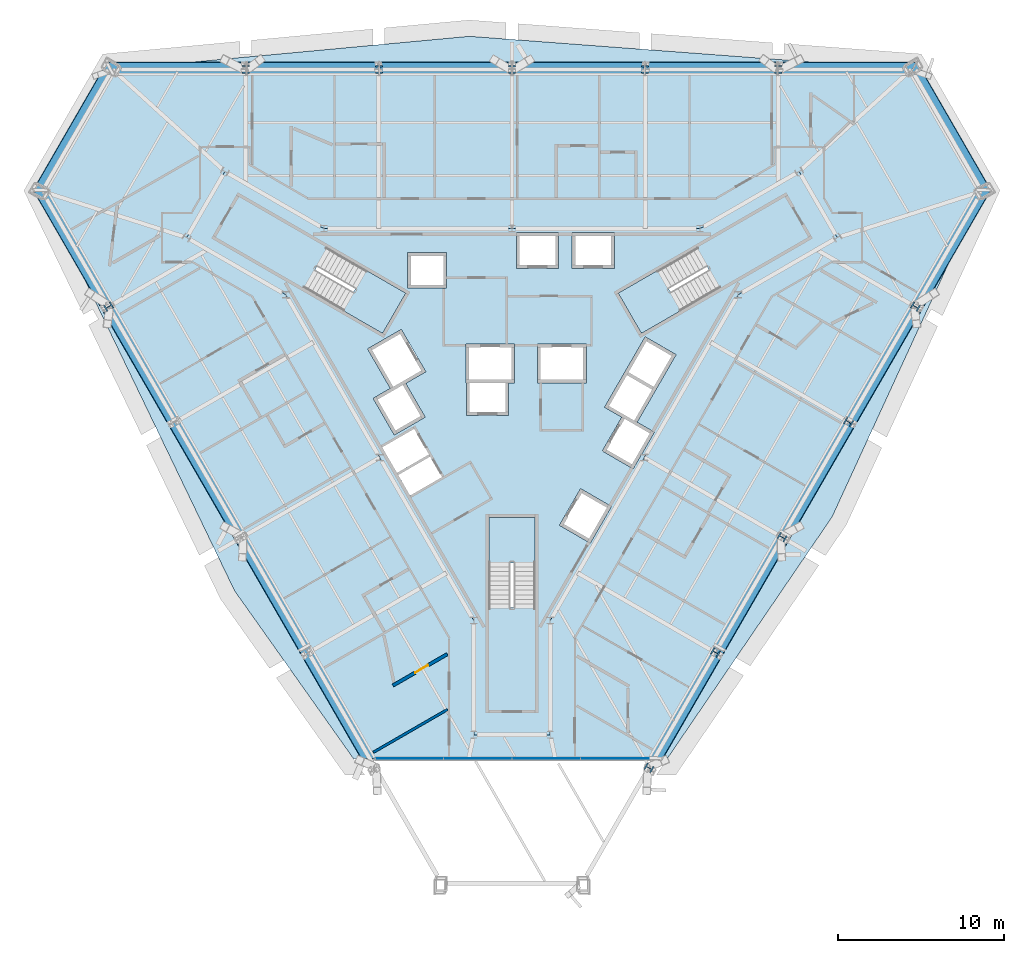
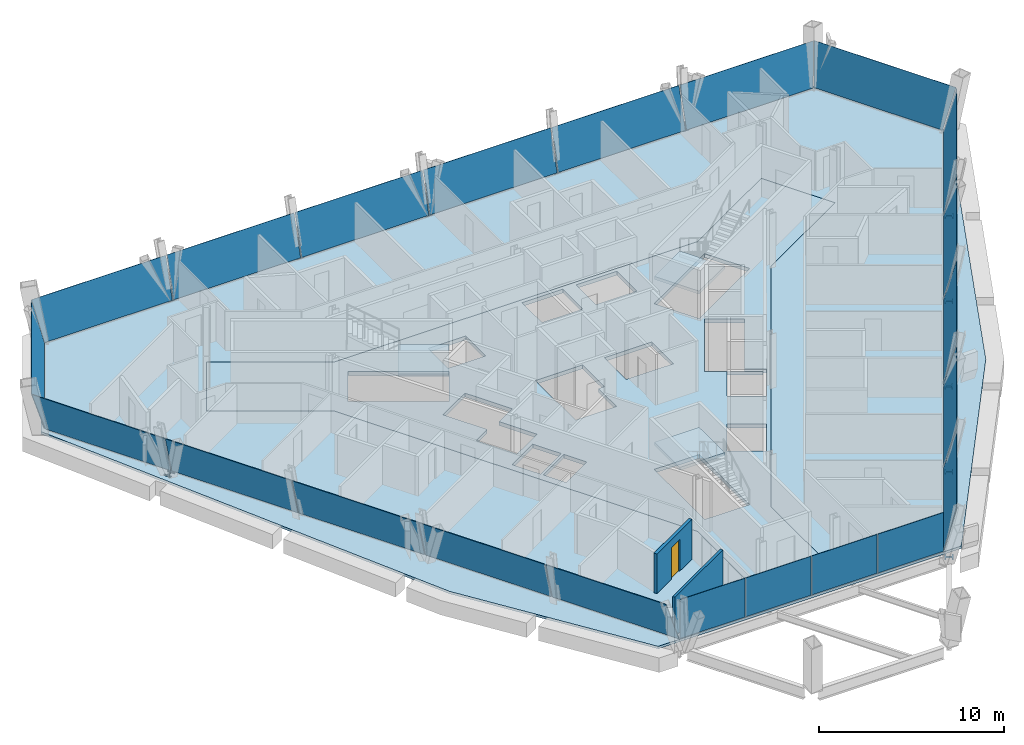
# One storey, part 8 of 15: 22 plates, 11 members, 5 slabs, 2 walls, 1 door, 1 opening, 9 elements without a shape of their own.
"""IFC4 building model written with IfcOpenShell, lengths in metres."""

import ifcopenshell
import ifcopenshell.guid

model = None  # the IFC model being written
_history = None  # IfcOwnerHistory: only IFC2X3 demands one
_inside = {}  # id of a spatial element -> (the spatial element, [elements in it])
_under = {}  # id of a project, library or spatial element -> (it, [spatial elements below it])
_declared = {}  # id of a project -> (the project, [libraries it declares])
_typed = {}  # id of a type object -> (the type object, [elements of that type])
_made_of = {}  # id of a material, layer set ... -> (it, [elements and type objects made of it])


def new_model(schema):
    """Start an empty IFC model of exactly this schema.

    Asked for "IFC4X3", IfcOpenShell would pick the latest addendum, in which some entities
    have other attributes; the version numbers below select the first issue.
    IFC2X3 requires an IfcOwnerHistory on every rooted entity: one is made here for all.
    """
    global model, _history
    if schema == "IFC4X3":
        model = ifcopenshell.file(schema_version=(4, 3, 0, 0))
    else:
        model = ifcopenshell.file(schema=schema)
    _inside.clear()
    _under.clear()
    _declared.clear()
    _typed.clear()
    _made_of.clear()
    _history = None
    if model.schema == "IFC2X3":
        org = make("IfcOrganization", Name="unknown")
        user = make(
            "IfcPersonAndOrganization",
            ThePerson=make("IfcPerson", FamilyName="unknown"),
            TheOrganization=org,
        )
        app = make(
            "IfcApplication",
            ApplicationDeveloper=org,
            Version="unknown",
            ApplicationFullName="unknown",
            ApplicationIdentifier="unknown",
        )
        _history = make(
            "IfcOwnerHistory",
            OwningUser=user,
            OwningApplication=app,
            ChangeAction="ADDED",
            CreationDate=0,
        )
    return model


def make(cls, **values):
    """One entity of the class cls with the attributes given. An attribute that is None is left unset."""
    return model.create_entity(
        cls, **{name: value for name, value in values.items() if value is not None}
    )


def rooted(cls, **values):
    """An entity with a GlobalId (a new one), such as an element, a storey or a relation."""
    return make(cls, GlobalId=ifcopenshell.guid.new(), OwnerHistory=_history, **values)


def si_unit(unit_type, name, prefix=None):
    """IfcSIUnit, for example si_unit("LENGTHUNIT", "METRE", prefix="MILLI")."""
    return make("IfcSIUnit", UnitType=unit_type, Prefix=prefix, Name=name)


def assignment(units):
    """IfcUnitAssignment: the units of a project."""
    return None if units is None else make("IfcUnitAssignment", Units=units)


def point(xyz):
    """IfcCartesianPoint."""
    return None if xyz is None else make("IfcCartesianPoint", Coordinates=xyz)


def direction(xyz):
    """IfcDirection."""
    return None if xyz is None else make("IfcDirection", DirectionRatios=xyz)


def frame(location, z_axis=None, x_axis=None):
    """IfcAxis2Placement3D, a coordinate frame: its origin and axes. An axis left out is left unset."""
    return make(
        "IfcAxis2Placement3D",
        Location=point(location),
        Axis=direction(z_axis),
        RefDirection=direction(x_axis),
    )


def frame_2d(location, x_axis=None):
    """IfcAxis2Placement2D, a coordinate frame in the plane: its origin and x axis."""
    return make(
        "IfcAxis2Placement2D", Location=point(location), RefDirection=direction(x_axis)
    )


def origin():
    """The frame at (0, 0, 0) with its axes left unset."""
    return frame((0.0, 0.0, 0.0))


def origin_2d():
    """The frame at (0, 0) in the plane with its x axis left unset."""
    return frame_2d((0.0, 0.0))


def place(relative_to, where):
    """IfcLocalPlacement: puts the frame where relative to a parent placement (None: the world)."""
    return make(
        "IfcLocalPlacement", PlacementRelTo=relative_to, RelativePlacement=where
    )


def context(
    kind, dimensions, precision=None, world=None, true_north=None, identifier=None
):
    """IfcGeometricRepresentationContext, for example the 3D "Model" context."""
    return make(
        "IfcGeometricRepresentationContext",
        ContextIdentifier=identifier,
        ContextType=kind,
        CoordinateSpaceDimension=dimensions,
        Precision=precision,
        WorldCoordinateSystem=world,
        TrueNorth=true_north,
    )


def subcontext(parent, identifier, kind, view, scale=None):
    """IfcGeometricRepresentationSubContext, for example "Body" below "Model"."""
    return make(
        "IfcGeometricRepresentationSubContext",
        ContextIdentifier=identifier,
        ContextType=kind,
        ParentContext=parent,
        TargetScale=scale,
        TargetView=view,
    )


def project(units=None, contexts=None):
    """IfcProject with its units and contexts."""
    return rooted(
        "IfcProject",
        Name="project",
        RepresentationContexts=contexts,
        UnitsInContext=assignment(units),
    )


def spatial(cls, under=None, at=None, **own):
    """A site, building, storey or space (cls), placed at a placement, below another one or the project."""
    s = rooted(cls, ObjectPlacement=at, **own)
    if under is not None:
        _under.setdefault(under.id(), (under, []))[1].append(s)
    return s


def polyline(points):
    """IfcPolyline through the points."""
    return make("IfcPolyline", Points=[point(p) for p in points])


def profile(cls, at=None, kind="AREA", **sizes):
    """A parametric profile (cls). Its sizes go by their IFC names, for example OverallWidth=200.0."""
    return make(cls, ProfileType=kind, Position=at, **sizes)


def rectangle(**sizes):
    """IfcRectangleProfileDef."""
    return profile("IfcRectangleProfileDef", **sizes)


def i_section(**sizes):
    """IfcIShapeProfileDef."""
    return profile("IfcIShapeProfileDef", **sizes)


def outline(outer, holes=None, kind="AREA"):
    """IfcArbitraryClosedProfileDef: a profile drawn as a closed curve; with holes, ...WithVoids."""
    if holes is None:
        return make("IfcArbitraryClosedProfileDef", ProfileType=kind, OuterCurve=outer)
    return make(
        "IfcArbitraryProfileDefWithVoids",
        ProfileType=kind,
        OuterCurve=outer,
        InnerCurves=holes,
    )


def extrude(swept, where, along, depth):
    """IfcExtrudedAreaSolid: the profile swept, set in the frame where, extruded along a direction by depth."""
    return make(
        "IfcExtrudedAreaSolid",
        SweptArea=swept,
        Position=where,
        ExtrudedDirection=direction(along),
        Depth=depth,
    )


def shape(context_of_items, identifier, shape_type, items):
    """IfcShapeRepresentation: the items that make up one representation, for example the "Body"."""
    return make(
        "IfcShapeRepresentation",
        ContextOfItems=context_of_items,
        RepresentationIdentifier=identifier,
        RepresentationType=shape_type,
        Items=items,
    )


def material(Name=None, Category=None):
    """IfcMaterial."""
    return make("IfcMaterial", Name=Name, Category=Category)


def layer(
    of_material, thickness, ventilated=None, Name=None, Category=None, Priority=None
):
    """IfcMaterialLayer: one layer of a wall or slab, of a material (None: an air gap)."""
    return make(
        "IfcMaterialLayer",
        Material=of_material,
        LayerThickness=thickness,
        IsVentilated=ventilated,
        Name=Name,
        Category=Category,
        Priority=Priority,
    )


def layer_set(layers, Name=None):
    """IfcMaterialLayerSet."""
    return make("IfcMaterialLayerSet", MaterialLayers=layers, LayerSetName=Name)


def material_profile(
    of_material, cross_section, Name=None, Category=None, Priority=None
):
    """IfcMaterialProfile: a cross section and its material."""
    return make(
        "IfcMaterialProfile",
        Name=Name,
        Material=of_material,
        Profile=cross_section,
        Priority=Priority,
        Category=Category,
    )


def profile_set(profiles, Name=None, composite=None):
    """IfcMaterialProfileSet."""
    return make(
        "IfcMaterialProfileSet",
        Name=Name,
        MaterialProfiles=profiles,
        CompositeProfile=composite,
    )


def made_of(thing, what):
    """Note that an element or type object is made of a material, layer set ...; save() writes the relation."""
    if what is not None:
        _made_of.setdefault(what.id(), (what, []))[1].append(thing)
    return thing


def type_object(cls, material=None, **own):
    """A type object (cls), such as IfcWallType, which elements share."""
    return made_of(rooted(cls, **own), material)


def element(
    cls,
    number,
    at=None,
    inside=None,
    cuts=None,
    type_object=None,
    material=None,
    context=None,
    identifier="Body",
    shape_type=None,
    held_by="IfcProductDefinitionShape",
    body=None,
    shapes=None,
    **own,
):
    """One element of the class cls, such as IfcWall. Its Tag is "e" and its number.

    at: its placement. inside: the storey or other place that contains it. cuts: it is an
    opening in that element (IfcRelVoidsElement). A single representation is given by context,
    identifier, shape_type and body (its items); several are given by shapes. held_by: the class
    of the entity that holds the representations. save() writes the other relations.
    """
    e = rooted(cls, Tag="e%d" % number, ObjectPlacement=at, **own)
    if body is not None:
        shapes = [shape(context, identifier, shape_type, body)]
    if shapes is not None:
        e.Representation = make(held_by, Representations=shapes)
    if inside is not None:
        _inside.setdefault(inside.id(), (inside, []))[1].append(e)
    if cuts is not None:
        rooted(
            "IfcRelVoidsElement", RelatingBuildingElement=cuts, RelatedOpeningElement=e
        )
    if type_object is not None:
        _typed.setdefault(type_object.id(), (type_object, []))[1].append(e)
    return made_of(e, material)


def fill(opening, filler):
    """IfcRelFillsElement: the door or window that sits in an opening."""
    return rooted(
        "IfcRelFillsElement",
        RelatingOpeningElement=opening,
        RelatedBuildingElement=filler,
    )


def aggregate(whole, parts):
    """IfcRelAggregates: a whole, such as a stair, and the parts it consists of."""
    return rooted("IfcRelAggregates", RelatingObject=whole, RelatedObjects=parts)


def save(model, path):
    """Write the relations noted so far, then the file.

    IfcRelAggregates (storeys below a building ...), IfcRelContainedInSpatialStructure (elements
    in a storey), IfcRelDefinesByType, IfcRelAssociatesMaterial and IfcRelDeclares: one each for
    every whole, place, type object, material and project.
    """
    for whole, parts in _under.values():
        aggregate(whole, parts)
    for where, things in _inside.values():
        rooted(
            "IfcRelContainedInSpatialStructure",
            RelatedElements=things,
            RelatingStructure=where,
        )
    for kind, things in _typed.values():
        rooted("IfcRelDefinesByType", RelatedObjects=things, RelatingType=kind)
    for what, things in _made_of.values():
        rooted("IfcRelAssociatesMaterial", RelatedObjects=things, RelatingMaterial=what)
    for by, libraries in _declared.values():
        rooted("IfcRelDeclares", RelatingContext=by, RelatedDefinitions=libraries)
    model.write(path)


model = new_model("IFC4")

# Units and contexts
model_context = context("Model", 3, precision=1e-05, world=origin(), true_north=direction((0.0, 1.0)))
body_context = subcontext(model_context, "Body", "Model", "MODEL_VIEW")
ifc_project = project(units=[si_unit("LENGTHUNIT", "METRE"), si_unit("AREAUNIT", "SQUARE_METRE"), si_unit("VOLUMEUNIT", "CUBIC_METRE"), si_unit("PLANEANGLEUNIT", "RADIAN"), si_unit("MASSUNIT", "GRAM", prefix="KILO")], contexts=[model_context])

# Site, building, storey
site_placement = place(None, origin())
site = spatial("IfcSite", under=ifc_project, at=site_placement, CompositionType="ELEMENT")
building_placement = place(site_placement, origin())
building = spatial("IfcBuilding", under=site, at=building_placement, Name="Verrane Prism Tower", CompositionType="ELEMENT")
storey_placement = place(building_placement, frame((0.0, 0.0, 118.0)))
storey = spatial("IfcBuildingStorey", under=building, at=storey_placement, Name="L28", CompositionType="ELEMENT", Elevation=118.0)

# Members
ifc_material_1 = material(Name="Steel A992", Category="steel")
ifc_material_profile = material_profile(ifc_material_1, i_section(OverallWidth=0.424072265625, OverallDepth=0.47509765625, WebThickness=0.0478515625, FlangeThickness=0.0771484375, FilletRadius=0.014892578125, at=origin_2d()), Name="W14x426")
ifc_profile_set = profile_set([ifc_material_profile], Name="Steel A992")
member_type = type_object("IfcMemberType", Name="Kink node W14x426", PredefinedType="COLLAR", material=ifc_profile_set)
member_1_placement = place(storey_placement, frame((16.041748046875, 18.79443359375, -0.044921875), z_axis=(0.0, 0.0, 1.0), x_axis=(1.0, 0.0, 0.0)))
element("IfcMember", 1, at=member_1_placement, inside=storey, type_object=member_type, Name="Kink node PC4 L28", PredefinedType="COLLAR", context=body_context, shape_type="SweptSolid", body=[
    extrude(i_section(OverallWidth=0.424072265625, OverallDepth=0.47509765625, WebThickness=0.0478515625, FlangeThickness=0.0771484375, FilletRadius=0.014892578125, at=origin_2d()), origin(), (0.0, 0.0, 1.0), 0.08984375),
])
member_2_placement = place(storey_placement, frame((8.020751953125, 18.7939453125, -0.0400390625), z_axis=(0.0, 0.0, 1.0), x_axis=(1.0, 0.0, 0.0)))
element("IfcMember", 2, at=member_2_placement, inside=storey, type_object=member_type, Name="Kink node PC4 L28", PredefinedType="COLLAR", context=body_context, shape_type="SweptSolid", body=[
    extrude(i_section(OverallWidth=0.424072265625, OverallDepth=0.47509765625, WebThickness=0.0478515625, FlangeThickness=0.0771484375, FilletRadius=0.014892578125, at=origin_2d()), origin(), (0.0, 0.0, 1.0), 0.080078125),
])
member_3_placement = place(storey_placement, frame((0.0, 18.79345703125, -0.034912109375), z_axis=(0.0, 0.0, 1.0), x_axis=(1.0, 0.0, 0.0)))
element("IfcMember", 3, at=member_3_placement, inside=storey, type_object=member_type, Name="Kink node PC4 L28", PredefinedType="COLLAR", context=body_context, shape_type="SweptSolid", body=[
    extrude(i_section(OverallWidth=0.424072265625, OverallDepth=0.47509765625, WebThickness=0.0478515625, FlangeThickness=0.0771484375, FilletRadius=0.014892578125, at=origin_2d()), origin(), (0.0, 0.0, 1.0), 0.06982421875),
])
member_4_placement = place(storey_placement, frame((-8.020751953125, 18.7939453125, -0.0400390625), z_axis=(0.0, 0.0, 1.0), x_axis=(1.0, 0.0, 0.0)))
element("IfcMember", 4, at=member_4_placement, inside=storey, type_object=member_type, Name="Kink node PC4 L28", PredefinedType="COLLAR", context=body_context, shape_type="SweptSolid", body=[
    extrude(i_section(OverallWidth=0.424072265625, OverallDepth=0.47509765625, WebThickness=0.0478515625, FlangeThickness=0.0771484375, FilletRadius=0.014892578125, at=origin_2d()), origin(), (0.0, 0.0, 1.0), 0.080078125),
])
for number, where, z_axis, x_axis, name in (
    (5, (-16.041748046875, 18.79443359375, -0.044921875), (0.0, 0.0, 1.0), (1.0, 0.0, 0.0), "Kink node PC4 L28"),
    (6, (8.2529296875, -23.293701171875, -0.044921875), (0.0, 0.0, 1.0), (-0.5, -0.866025403784, 0.0), "Kink node PC4 L28"),
):
    element("IfcMember", number, at=place(storey_placement, frame(where, z_axis=z_axis, x_axis=x_axis)), inside=storey, type_object=member_type, Name=name, PredefinedType="COLLAR", context=body_context, shape_type="SweptSolid", body=[
        extrude(i_section(OverallWidth=0.424072265625, OverallDepth=0.47509765625, WebThickness=0.0478515625, FlangeThickness=0.0771484375, FilletRadius=0.014892578125, at=origin_2d()), origin(), (0.0, 0.0, 1.0), 0.08984375),
    ])
member_5_placement = place(storey_placement, frame((12.262939453125, -16.342529296875, -0.0400390625), z_axis=(0.0, 0.0, 1.0), x_axis=(-0.5, -0.866025403784, 0.0)))
element("IfcMember", 7, at=member_5_placement, inside=storey, type_object=member_type, Name="Kink node PC4 L28", PredefinedType="COLLAR", context=body_context, shape_type="SweptSolid", body=[
    extrude(i_section(OverallWidth=0.424072265625, OverallDepth=0.47509765625, WebThickness=0.0478515625, FlangeThickness=0.0771484375, FilletRadius=0.014892578125, at=origin_2d()), origin(), (0.0, 0.0, 1.0), 0.080078125),
])
member_6_placement = place(storey_placement, frame((16.27294921875, -9.3916015625, -0.034912109375), z_axis=(0.0, 0.0, 1.0), x_axis=(-0.5, -0.866025403784, 0.0)))
element("IfcMember", 8, at=member_6_placement, inside=storey, type_object=member_type, Name="Kink node PC4 L28", PredefinedType="COLLAR", context=body_context, shape_type="SweptSolid", body=[
    extrude(i_section(OverallWidth=0.424072265625, OverallDepth=0.47509765625, WebThickness=0.0478515625, FlangeThickness=0.0771484375, FilletRadius=0.014892578125, at=origin_2d()), origin(), (0.0, 0.0, 1.0), 0.06982421875),
])
member_7_placement = place(storey_placement, frame((20.28369140625, -2.451416015625, -0.0400390625), z_axis=(0.0, 0.0, 1.0), x_axis=(-0.5, -0.866025403784, 0.0)))
element("IfcMember", 9, at=member_7_placement, inside=storey, type_object=member_type, Name="Kink node PC4 L28", PredefinedType="COLLAR", context=body_context, shape_type="SweptSolid", body=[
    extrude(i_section(OverallWidth=0.424072265625, OverallDepth=0.47509765625, WebThickness=0.0478515625, FlangeThickness=0.0771484375, FilletRadius=0.014892578125, at=origin_2d()), origin(), (0.0, 0.0, 1.0), 0.080078125),
])
for number, where, z_axis, x_axis, name in (
    (10, (24.3046875, 4.499267578125, -0.044921875), (0.0, 0.0, 1.0), (-0.5, -0.866025403784, 0.0), "Kink node PC4 L28"),
    (11, (-24.3046875, 4.499267578125, -0.044921875), (0.0, 0.0, 1.0), (-0.5, 0.866025403784, 0.0), "Kink node PC4 L28"),
):
    element("IfcMember", number, at=place(storey_placement, frame(where, z_axis=z_axis, x_axis=x_axis)), inside=storey, type_object=member_type, Name=name, PredefinedType="COLLAR", context=body_context, shape_type="SweptSolid", body=[
        extrude(i_section(OverallWidth=0.424072265625, OverallDepth=0.47509765625, WebThickness=0.0478515625, FlangeThickness=0.0771484375, FilletRadius=0.014892578125, at=origin_2d()), origin(), (0.0, 0.0, 1.0), 0.08984375),
    ])

# Slabs
ifc_material_2 = material(Name="Concrete C35/45", Category="concrete")
ifc_layer_1 = layer(ifc_material_2, 0.159912109375)
ifc_layer_set_1 = layer_set([ifc_layer_1], Name="Composite floor slab")
slab_type_1 = type_object("IfcSlabType", Name="Composite floor slab", PredefinedType="FLOOR", material=ifc_layer_set_1)
slab_1_placement = place(storey_placement, frame((0.0, 0.0, -0.159912109375)))
element("IfcSlab", 12, at=slab_1_placement, inside=storey, type_object=slab_type_1, Name="Floor slab L28", PredefinedType="FLOOR", context=body_context, shape_type="SweptSolid", body=[
    extrude(outline(polyline([(-16.72119140625, -12.6181640625), (-28.30615234375, 11.44775390625), (-24.067138671875, 18.7900390625), (-2.567138671875, 20.7900390625), (24.067138671875, 18.7900390625), (28.30615234375, 11.44775390625), (19.288330078125, -8.171875), (9.35400390625, -22.73779296875), (-9.55224609375, -22.73779296875), (-16.72119140625, -12.6181640625)]), holes=[polyline([(19.60009765625, 8.659912109375), (17.300048828125, 12.639892578125), (11.330078125, 9.199951171875), (0.0, 9.199951171875), (-11.330078125, 9.199951171875), (-17.300048828125, 12.639892578125), (-19.60009765625, 8.659912109375), (-13.6298828125, 5.219970703125), (-7.969970703125, -4.60009765625), (-2.300048828125, -14.419921875), (-2.300048828125, -21.300048828125), (2.300048828125, -21.300048828125), (2.300048828125, -14.419921875), (7.969970703125, -4.60009765625), (13.6298828125, 5.219970703125), (19.60009765625, 8.659912109375)])]), origin(), (0.0, 0.0, 1.0), 0.159912109375),
])
ifc_material_3 = material(Name="Concrete C40/50", Category="concrete")
ifc_layer_2 = layer(ifc_material_3, 0.25)
ifc_layer_set_2 = layer_set([ifc_layer_2], Name="Core floor slab 250 concrete C40/50")
slab_type_2 = type_object("IfcSlabType", Name="Core floor slab 250 concrete C40/50", PredefinedType="FLOOR", material=ifc_layer_set_2)
slab_2_placement = place(storey_placement, frame((0.0, 0.0, -0.25)))
element("IfcSlab", 13, at=slab_2_placement, inside=storey, type_object=slab_type_2, Name="Core floor L28", PredefinedType="FLOOR", context=body_context, shape_type="SweptSolid", body=[
    extrude(outline(polyline([(13.6298828125, 5.219970703125), (19.60009765625, 8.659912109375), (17.300048828125, 12.639892578125), (11.330078125, 9.199951171875), (0.0, 9.199951171875), (-11.330078125, 9.199951171875), (-17.300048828125, 12.639892578125), (-19.60009765625, 8.659912109375), (-13.6298828125, 5.219970703125), (-7.969970703125, -4.60009765625), (-2.300048828125, -14.419921875), (-2.300048828125, -21.300048828125), (2.300048828125, -21.300048828125), (2.300048828125, -14.419921875), (7.969970703125, -4.60009765625), (13.6298828125, 5.219970703125)]), holes=[polyline([(1.39990234375, -8.199951171875), (1.39990234375, -13.639892578125), (-1.39990234375, -13.639892578125), (-1.39990234375, -8.199951171875), (1.39990234375, -8.199951171875)]), polyline([(-4.215087890625, -5.77099609375), (-6.14208984375, -6.883056640625), (-6.85400390625, -5.64599609375), (-4.928955078125, -4.533935546875), (-4.215087890625, -5.77099609375)]), polyline([(-5.0029296875, -4.404052734375), (-6.929931640625, -5.51708984375), (-7.819091796875, -3.97705078125), (-5.89306640625, -2.864013671875), (-5.0029296875, -4.404052734375)]), polyline([(0.1650390625, 2.25), (0.1650390625, -0.10009765625), (-0.205078125, -0.10009765625), (-0.205078125, -2.050048828125), (-2.7548828125, -2.050048828125), (-2.7548828125, -0.10009765625), (-2.784912109375, -0.10009765625), (-2.784912109375, 2.25), (0.1650390625, 2.25)]), polyline([(-12.512939453125, 5.60791015625), (-11.113037109375, 8.031982421875), (-6.40087890625, 5.31201171875), (-7.801025390625, 2.887939453125), (-12.512939453125, 5.60791015625)]), polyline([(-6.284912109375, 5.610107421875), (-6.284912109375, 7.760009765625), (-3.93505859375, 7.760009765625), (-3.93505859375, 5.610107421875), (-6.284912109375, 5.610107421875)]), polyline([(4.717041015625, -9.75), (2.85498046875, -8.675048828125), (4.1298828125, -6.466064453125), (5.991943359375, -7.541015625), (4.717041015625, -9.75)]), polyline([(8.303955078125, -3.136962890625), (5.575927734375, -1.56201171875), (8.02587890625, 2.680908203125), (9.887939453125, 1.60595703125), (7.5380859375, -2.464111328125), (8.576904296875, -3.06396484375), (7.302001953125, -5.27197265625), (5.43994140625, -4.197021484375), (6.614990234375, -2.162109375), (8.303955078125, -3.136962890625)]), polyline([(1.52490234375, -0.10009765625), (1.52490234375, 2.25), (4.47509765625, 2.25), (4.47509765625, -0.10009765625), (1.52490234375, -0.10009765625)]), polyline([(6.40087890625, 5.31201171875), (11.113037109375, 8.031982421875), (12.512939453125, 5.60791015625), (7.801025390625, 2.887939453125), (6.40087890625, 5.31201171875)]), polyline([(0.264892578125, 6.81005859375), (0.264892578125, 8.9599609375), (2.81494140625, 8.9599609375), (2.81494140625, 6.81005859375), (0.264892578125, 6.81005859375)]), polyline([(3.625, 6.81005859375), (3.625, 8.9599609375), (6.175048828125, 8.9599609375), (6.175048828125, 6.81005859375), (3.625, 6.81005859375)]), polyline([(-5.23095703125, -2.159912109375), (-7.093017578125, -3.235107421875), (-8.367919921875, -1.02587890625), (-7.3291015625, -0.426025390625), (-8.7041015625, 1.955078125), (-6.66796875, 3.1298828125), (-5.193115234375, 0.574951171875), (-6.406005859375, -0.125), (-5.23095703125, -2.159912109375)])]), origin(), (0.0, 0.0, 1.0), 0.25),
])

# Curtain wall, plates
ifc_material_4 = material(Name="Aluminium framed insulated glazing", Category="aluminium")
curtain_wall_type_1 = type_object("IfcCurtainWallType", Name="Curtain wall CW-C 4200 module", PredefinedType="NOTDEFINED", material=ifc_material_4)
curtain_wall_1_placement = place(storey_placement, origin())
curtain_wall_1 = element("IfcCurtainWall", 14, at=curtain_wall_1_placement, inside=storey, type_object=curtain_wall_type_1, Name="Glazed curtain wall garden cut line L28 1", PredefinedType="NOTDEFINED")
ifc_material_5 = material(Name="Low-iron insulating glass unit", Category="glass")
ifc_layer_3 = layer(ifc_material_5, 0.02392578125)
ifc_layer_set_3 = layer_set([ifc_layer_3], Name="Glazing panel IGU 24")
plate_type_1 = type_object("IfcPlateType", Name="Glazing panel IGU 24", PredefinedType="CURTAIN_PANEL", material=ifc_layer_set_3)
plate_1_placement = place(storey_placement, frame((-2.061767578125, -22.73779296875, 0.050048828125), z_axis=(0.0, 0.0, 1.0), x_axis=(1.0, 0.0, 0.0)))
plate_1 = element("IfcPlate", 15, at=plate_1_placement, type_object=plate_type_1, Name="CW27.5.1 panel 2", PredefinedType="CURTAIN_PANEL", context=body_context, shape_type="SweptSolid", body=[
    extrude(rectangle(XDim=4.073486328125, YDim=0.02392578125, at=origin_2d()), origin(), (0.0, 0.0, 1.0), 2.56298828125),
])
plate_2_placement = place(storey_placement, frame((2.061767578125, -22.73779296875, 0.050048828125), z_axis=(0.0, 0.0, 1.0), x_axis=(1.0, 0.0, 0.0)))
plate_2 = element("IfcPlate", 16, at=plate_2_placement, type_object=plate_type_1, Name="CW27.5.1 panel 3", PredefinedType="CURTAIN_PANEL", context=body_context, shape_type="SweptSolid", body=[
    extrude(rectangle(XDim=4.073486328125, YDim=0.02392578125, at=origin_2d()), origin(), (0.0, 0.0, 1.0), 2.56298828125),
])

# Curtain wall, plate
ifc_material_6 = material(Name="Aluminium framed insulated glazing", Category="aluminium")
curtain_wall_type_2 = type_object("IfcCurtainWallType", Name="Curtain wall CW-A 8400 module", PredefinedType="NOTDEFINED", material=ifc_material_6)
curtain_wall_2_placement = place(storey_placement, origin())
curtain_wall_2 = element("IfcCurtainWall", 17, at=curtain_wall_2_placement, inside=storey, type_object=curtain_wall_type_2, Name="Glazed curtain wall north-east corner L28", PredefinedType="NOTDEFINED")
ifc_material_7 = material(Name="Low-iron insulating glass unit", Category="glass")
ifc_layer_4 = layer(ifc_material_7, 0.031982421875)
ifc_layer_set_4 = layer_set([ifc_layer_4], Name="Glazing panel IGU 32")
plate_type_2 = type_object("IfcPlateType", Name="Glazing panel IGU 32", PredefinedType="CURTAIN_PANEL", material=ifc_layer_set_4)
plate_3_placement = place(storey_placement, frame((27.992919921875, 11.584716796875, 0.070068359375), z_axis=(-0.834930918966, -0.482045751558, 0.265560264272), x_axis=(-0.499997980431, 0.866026569777, 2.468045e-06)))
plate_3 = element("IfcPlate", 18, at=plate_3_placement, type_object=plate_type_2, Name="CW27.1 panel 1", PredefinedType="CURTAIN_PANEL", context=body_context, shape_type="SweptSolid", body=[
    extrude(outline(polyline([(0.0, 0.0), (7.997715016122634, 1.1102230246251565e-16), (8.401627913258267, -2.6374017292509864), (-0.4390841623946491, -2.637444834995135), (0.0, 0.0)])), origin(), (0.0, 0.0, -1.0), 0.031982421875),
])
aggregate(curtain_wall_2, [plate_3])

# Curtain wall, plates
curtain_wall_3_placement = place(storey_placement, origin())
curtain_wall_3 = element("IfcCurtainWall", 19, at=curtain_wall_3_placement, inside=storey, type_object=curtain_wall_type_2, Name="Glazed curtain wall north face L28", PredefinedType="NOTDEFINED")
plate_4_placement = place(storey_placement, frame((23.924072265625, 18.510986328125, 0.070068359375), z_axis=(0.0, -0.964137317144, 0.265403906697), x_axis=(-1.0, 0.0, 0.0)))
plate_4 = element("IfcPlate", 20, at=plate_4_placement, type_object=plate_type_2, Name="CW27.2 panel 1", PredefinedType="CURTAIN_PANEL", context=body_context, shape_type="SweptSolid", body=[
    extrude(outline(polyline([(0.0, 0.0), (7.89306640625, 0.0), (7.89306640625, -2.637305458632055), (-0.439453125, -2.637305458632055), (0.0, 0.0)])), origin(), (0.0, 0.0, -1.0), 0.031982421875),
])
plate_5_placement = place(storey_placement, frame((15.961181640625, 18.510986328125, 0.070068359375), z_axis=(0.0, -0.964137317144, 0.265403906697), x_axis=(-1.0, 0.0, 0.0)))
plate_5 = element("IfcPlate", 21, at=plate_5_placement, type_object=plate_type_2, Name="CW27.2 panel 2", PredefinedType="CURTAIN_PANEL", context=body_context, shape_type="SweptSolid", body=[
    extrude(outline(polyline([(0.0, 0.0), (7.92822265625, 0.0), (7.92822265625, -2.6373054586320546), (0.0, -2.6373054586320546), (0.0, 0.0)])), origin(), (0.0, 0.0, -1.0), 0.031982421875),
])
plate_6_placement = place(storey_placement, frame((7.963134765625, 18.510986328125, 0.070068359375), z_axis=(0.0, -0.964137317144, 0.265403906697), x_axis=(-1.0, 0.0, 0.0)))
plate_6 = element("IfcPlate", 22, at=plate_6_placement, type_object=plate_type_2, Name="CW27.2 panel 3", PredefinedType="CURTAIN_PANEL", context=body_context, shape_type="SweptSolid", body=[
    extrude(outline(polyline([(0.0, 0.0), (7.92822265625, 0.0), (7.92822265625, -2.6373054586320546), (0.0, -2.6373054586320546), (0.0, 0.0)])), origin(), (0.0, 0.0, -1.0), 0.031982421875),
])
plate_7_placement = place(storey_placement, frame((-0.034912109375, 18.510986328125, 0.070068359375), z_axis=(0.0, -0.964137317144, 0.265403906697), x_axis=(-1.0, 0.0, 0.0)))
plate_7 = element("IfcPlate", 23, at=plate_7_placement, type_object=plate_type_2, Name="CW27.2 panel 4", PredefinedType="CURTAIN_PANEL", context=body_context, shape_type="SweptSolid", body=[
    extrude(outline(polyline([(0.0, 0.0), (7.92822265625, 0.0), (7.92822265625, -2.6373054586320546), (0.0, -2.6373054586320546), (0.0, 0.0)])), origin(), (0.0, 0.0, -1.0), 0.031982421875),
])
plate_8_placement = place(storey_placement, frame((-8.032958984375, 18.510986328125, 0.070068359375), z_axis=(0.0, -0.964137317144, 0.265403906697), x_axis=(-1.0, 0.0, 0.0)))
plate_8 = element("IfcPlate", 24, at=plate_8_placement, type_object=plate_type_2, Name="CW27.2 panel 5", PredefinedType="CURTAIN_PANEL", context=body_context, shape_type="SweptSolid", body=[
    extrude(outline(polyline([(0.0, 0.0), (7.92822265625, 0.0), (7.92822265625, -2.6373054586320546), (0.0, -2.6373054586320546), (0.0, 0.0)])), origin(), (0.0, 0.0, -1.0), 0.031982421875),
])
plate_9_placement = place(storey_placement, frame((-16.031005859375, 18.510986328125, 0.070068359375), z_axis=(0.0, -0.964137317144, 0.265403906697), x_axis=(-1.0, 0.0, 0.0)))
plate_9 = element("IfcPlate", 25, at=plate_9_placement, type_object=plate_type_2, Name="CW27.2 panel 6", PredefinedType="CURTAIN_PANEL", context=body_context, shape_type="SweptSolid", body=[
    extrude(outline(polyline([(0.0, 0.0), (7.963134765625, 0.0), (8.36767578125, -2.6373054586320546), (0.0, -2.6373054586320546), (0.0, 0.0)])), origin(), (0.0, 0.0, -1.0), 0.031982421875),
])
aggregate(curtain_wall_3, [plate_4, plate_5, plate_6, plate_7, plate_8, plate_9])

# Curtain wall, plate
curtain_wall_4_placement = place(storey_placement, origin())
curtain_wall_4 = element("IfcCurtainWall", 26, at=curtain_wall_4_placement, inside=storey, type_object=curtain_wall_type_2, Name="Glazed curtain wall north-west corner L28", PredefinedType="NOTDEFINED")
plate_10_placement = place(storey_placement, frame((-24.029052734375, 18.450439453125, 0.070068359375), z_axis=(0.834948010858, -0.482053457149, 0.265492530243), x_axis=(-0.499997099203, -0.866027078553, 8.89716e-07)))
plate_10 = element("IfcPlate", 27, at=plate_10_placement, type_object=plate_type_2, Name="CW27.3 panel 1", PredefinedType="CURTAIN_PANEL", context=body_context, shape_type="SweptSolid", body=[
    extrude(outline(polyline([(0.0, 0.0), (7.998048518209127, 0.0), (8.4020118079504, -2.6373644514032595), (-0.43891170002902535, -2.637379990983136), (0.0, 0.0)])), origin(), (0.0, 0.0, -1.0), 0.031982421875),
])
aggregate(curtain_wall_4, [plate_10])

# Curtain wall, plates
curtain_wall_5_placement = place(storey_placement, origin())
curtain_wall_5 = element("IfcCurtainWall", 28, at=curtain_wall_5_placement, inside=storey, type_object=curtain_wall_type_2, Name="Glazed curtain wall south-west face L28", PredefinedType="NOTDEFINED")
plate_11_placement = place(storey_placement, frame((-27.992919921875, 11.46337890625, 0.070068359375), z_axis=(0.834957101362, 0.48206354105, 0.265445627719), x_axis=(0.499999420204, -0.866025738514, 5.151983e-06)))
plate_11 = element("IfcPlate", 29, at=plate_11_placement, type_object=plate_type_2, Name="CW27.4 panel 1", PredefinedType="CURTAIN_PANEL", context=body_context, shape_type="SweptSolid", body=[
    extrude(outline(polyline([(0.0, 0.0), (7.807391005320657, 0.0), (7.807286020171022, -2.6372951576027983), (-0.4395013665483121, -2.637380946048002), (0.0, 0.0)])), origin(), (0.0, 0.0, -1.0), 0.031982421875),
])
plate_12_placement = place(storey_placement, frame((-24.05419921875, 4.641357421875, 0.070068359375), z_axis=(0.834949021276, 0.482063830663, 0.265470516323), x_axis=(0.500003680191, -0.866023279008, 3.450146e-06)))
plate_12 = element("IfcPlate", 30, at=plate_12_placement, type_object=plate_type_2, Name="CW27.4 panel 2", PredefinedType="CURTAIN_PANEL", context=body_context, shape_type="SweptSolid", body=[
    extrude(outline(polyline([(0.0, 0.0), (7.842397633366149, -1.1102230246251565e-16), (7.842496309501622, -2.6373275580955884), (-2.3395075510021683e-05, -2.6373836873217154), (0.0, 0.0)])), origin(), (0.0, 0.0, -1.0), 0.031982421875),
])
plate_13_placement = place(storey_placement, frame((-20.09814453125, -2.2109375, 0.070068359375), z_axis=(0.834964403862, 0.482057704821, 0.265433256217), x_axis=(0.499992828865, -0.866029544001, 0.0)))
plate_13 = element("IfcPlate", 31, at=plate_13_placement, type_object=plate_type_2, Name="CW27.4 panel 3", PredefinedType="CURTAIN_PANEL", context=body_context, shape_type="SweptSolid", body=[
    extrude(outline(polyline([(0.0, 0.0), (7.842397634028458, -1.1102230246251565e-16), (7.842496308839304, -2.6373275600650925), (9.86748108462443e-05, -2.6373275600650925), (0.0, 0.0)])), origin(), (0.0, 0.0, -1.0), 0.031982421875),
])
plate_14_placement = place(storey_placement, frame((-16.141845703125, -9.0634765625, 0.070068359375), z_axis=(0.834974661165, 0.482063626765, 0.265390231476), x_axis=(0.499992828865, -0.866029544001, 0.0)))
plate_14 = element("IfcPlate", 32, at=plate_14_placement, type_object=plate_type_2, Name="CW27.4 panel 4", PredefinedType="CURTAIN_PANEL", context=body_context, shape_type="SweptSolid", body=[
    extrude(outline(polyline([(0.0, 0.0), (7.842397634028458, 0.0), (7.842284875845163, -2.6372951616352376), (-0.00011275818329474079, -2.6372951616352376), (0.0, 0.0)])), origin(), (0.0, 0.0, -1.0), 0.031982421875),
])
plate_15_placement = place(storey_placement, frame((-12.185791015625, -15.915771484375, 0.070068359375), z_axis=(0.834958915089, 0.482065642632, 0.265436105884), x_axis=(0.500001531491, -0.866024519576, -2.62633e-07)))
plate_15 = element("IfcPlate", 33, at=plate_15_placement, type_object=plate_type_2, Name="CW27.4 panel 5", PredefinedType="CURTAIN_PANEL", context=body_context, shape_type="SweptSolid", body=[
    extrude(outline(polyline([(0.0, 0.0), (7.87740426221981, 1.1102230246251565e-16), (7.473227551749656, -2.637331741884349), (9.097242689726967e-05, -2.63732756033051), (0.0, 0.0)])), origin(), (0.0, 0.0, -1.0), 0.031982421875),
])
aggregate(curtain_wall_5, [plate_11, plate_12, plate_13, plate_14, plate_15])

curtain_wall_6_placement = place(storey_placement, origin())
curtain_wall_6 = element("IfcCurtainWall", 34, at=curtain_wall_6_placement, inside=storey, type_object=curtain_wall_type_2, Name="Glazed curtain wall south-east face L28", PredefinedType="NOTDEFINED")
plate_16_placement = place(storey_placement, frame((8.281982421875, -22.67724609375, 0.070068359375), z_axis=(-0.834957526653, 0.482076808658, 0.26542019373), x_axis=(0.500010488852, 0.866019347957, -1.214779e-06)))
plate_16 = element("IfcPlate", 35, at=plate_16_placement, type_object=plate_type_2, Name="CW27.6 panel 1", PredefinedType="CURTAIN_PANEL", context=body_context, shape_type="SweptSolid", body=[
    extrude(outline(polyline([(0.0, 0.0), (7.807513075786827, -2.220446049250313e-16), (7.807425587242702, -2.6373275602178206), (0.3691735650194164, -2.6373083509999207), (0.0, 0.0)])), origin(), (0.0, 0.0, -1.0), 0.031982421875),
])
plate_17_placement = place(storey_placement, frame((12.220703125, -15.855224609375, 0.070068359375), z_axis=(-0.834974661165, 0.482063626765, 0.265390231476), x_axis=(0.499992828865, 0.866029544001, 0.0)))
plate_17 = element("IfcPlate", 36, at=plate_17_placement, type_object=plate_type_2, Name="CW27.6 panel 2", PredefinedType="CURTAIN_PANEL", context=body_context, shape_type="SweptSolid", body=[
    extrude(outline(polyline([(0.0, 0.0), (7.842397634028458, 0.0), (7.842510392211752, -2.6372951616352376), (0.00011275818329474079, -2.6372951616352376), (0.0, 0.0)])), origin(), (0.0, 0.0, -1.0), 0.031982421875),
])
plate_18_placement = place(storey_placement, frame((16.177001953125, -9.002685546875, 0.070068359375), z_axis=(-0.834964403862, 0.482057704821, 0.265433256217), x_axis=(0.499992828865, 0.866029544001, 0.0)))
plate_18 = element("IfcPlate", 37, at=plate_18_placement, type_object=plate_type_2, Name="CW27.6 panel 3", PredefinedType="CURTAIN_PANEL", context=body_context, shape_type="SweptSolid", body=[
    extrude(outline(polyline([(0.0, 0.0), (7.842397634028458, 1.1102230246251565e-16), (7.8422989592176116, -2.637327560065092), (-9.86748108462443e-05, -2.6373275600650925), (0.0, 0.0)])), origin(), (0.0, 0.0, -1.0), 0.031982421875),
])
plate_19_placement = place(storey_placement, frame((20.133056640625, -2.150390625, 0.070068359375), z_axis=(-0.834949021276, 0.482063830663, 0.265470516323), x_axis=(0.500003680191, 0.866023279008, -3.450146e-06)))
plate_19 = element("IfcPlate", 38, at=plate_19_placement, type_object=plate_type_2, Name="CW27.6 panel 4", PredefinedType="CURTAIN_PANEL", context=body_context, shape_type="SweptSolid", body=[
    extrude(outline(polyline([(0.0, 0.0), (7.842397633366149, 1.1102230246251565e-16), (7.842421028441658, -2.6373836873217154), (-9.867613547415426e-05, -2.6373275580955884), (0.0, 0.0)])), origin(), (0.0, 0.0, -1.0), 0.031982421875),
])
plate_20_placement = place(storey_placement, frame((24.08935546875, 4.701904296875, 0.070068359375), z_axis=(-0.834976883408, 0.482069834432, 0.2653719633), x_axis=(0.499997061015, 0.8660271006, 1.683371e-06)))
plate_20 = element("IfcPlate", 39, at=plate_20_placement, type_object=plate_type_2, Name="CW27.6 panel 5", PredefinedType="CURTAIN_PANEL", context=body_context, shape_type="SweptSolid", body=[
    extrude(outline(polyline([(0.0, 0.0), (7.877404262065175, 1.1102230246251565e-16), (8.282003836170015, -2.6372669471734818), (0.00012045889943829579, -2.63729516082135), (0.0, 0.0)])), origin(), (0.0, 0.0, -1.0), 0.031982421875),
])
aggregate(curtain_wall_6, [plate_16, plate_17, plate_18, plate_19, plate_20])

# Stair, slab
ifc_material_8 = material(Name="Concrete C40/50", Category="concrete")
stair_type = type_object("IfcStairType", Name="Exit stair 1300 dog-leg precast concrete C40/50", PredefinedType="HALF_TURN_STAIR", material=ifc_material_8)
stair_1_placement = place(storey_placement, origin())
stair_1 = element("IfcStair", 40, at=stair_1_placement, inside=storey, type_object=stair_type, Name="Stair 1 L28", PredefinedType="HALF_TURN_STAIR")
ifc_material_9 = material(Name="Concrete C40/50", Category="concrete")
ifc_layer_5 = layer(ifc_material_9, 0.199951171875)
ifc_layer_set_5 = layer_set([ifc_layer_5], Name="Stair landing 200 precast concrete C40/50")
slab_type_3 = type_object("IfcSlabType", Name="Stair landing 200 precast concrete C40/50", PredefinedType="LANDING", material=ifc_layer_set_5)
slab_3_placement = place(storey_placement, frame((0.0, 0.0, 1.60009765625)))
slab_3 = element("IfcSlab", 41, at=slab_3_placement, type_object=slab_type_3, Name="Stair 1 landing 1", PredefinedType="LANDING", context=body_context, shape_type="SweptSolid", body=[
    extrude(outline(polyline([(8.791748046875, 6.6923828125), (6.4013671875, 5.3125), (7.801513671875, 2.887451171875), (10.191650390625, 4.267578125), (8.791748046875, 6.6923828125)])), origin(), (0.0, 0.0, 1.0), 0.199951171875),
])
aggregate(stair_1, [slab_3])

stair_2_placement = place(storey_placement, origin())
stair_2 = element("IfcStair", 42, at=stair_2_placement, inside=storey, type_object=stair_type, Name="Stair 2 L28", PredefinedType="HALF_TURN_STAIR")
slab_4_placement = place(storey_placement, frame((0.0, 0.0, 1.60009765625)))
slab_4 = element("IfcSlab", 43, at=slab_4_placement, type_object=slab_type_3, Name="Stair 2 landing 1", PredefinedType="LANDING", context=body_context, shape_type="SweptSolid", body=[
    extrude(outline(polyline([(-10.191650390625, 4.267578125), (-7.801513671875, 2.887451171875), (-6.4013671875, 5.3125), (-8.791748046875, 6.6923828125), (-10.191650390625, 4.267578125)])), origin(), (0.0, 0.0, 1.0), 0.199951171875),
])
aggregate(stair_2, [slab_4])

stair_3_placement = place(storey_placement, origin())
stair_3 = element("IfcStair", 44, at=stair_3_placement, inside=storey, type_object=stair_type, Name="Stair 3 L28", PredefinedType="HALF_TURN_STAIR")
slab_5_placement = place(storey_placement, frame((0.0, 0.0, 1.60009765625)))
slab_5 = element("IfcSlab", 45, at=slab_5_placement, type_object=slab_type_3, Name="Stair 3 landing 1", PredefinedType="LANDING", context=body_context, shape_type="SweptSolid", body=[
    extrude(outline(polyline([(1.39990234375, -10.9599609375), (1.39990234375, -8.199951171875), (-1.39990234375, -8.199951171875), (-1.39990234375, -10.9599609375), (1.39990234375, -10.9599609375)])), origin(), (0.0, 0.0, 1.0), 0.199951171875),
])
aggregate(stair_3, [slab_5])

# Plate
ifc_material_10 = material(Name="Warm limestone cladding", Category="masonry")
ifc_layer_6 = layer(ifc_material_10, 0.028076171875)
ifc_layer_set_6 = layer_set([ifc_layer_6], Name="Stone-faced spandrel panel 28")
plate_type_3 = type_object("IfcPlateType", Name="Stone-faced spandrel panel 28", PredefinedType="CURTAIN_PANEL", material=ifc_layer_set_6)
plate_21_placement = place(storey_placement, frame((-6.1728515625, -22.73779296875, 0.050048828125), z_axis=(0.0, 0.0, 1.0), x_axis=(1.0, 0.0, 0.0)))
plate_21 = element("IfcPlate", 46, at=plate_21_placement, type_object=plate_type_3, Name="CW27.5.1 panel 1", PredefinedType="CURTAIN_PANEL", context=body_context, shape_type="SweptSolid", body=[
    extrude(rectangle(XDim=4.048583984375, YDim=0.028076171875, at=origin_2d()), origin(), (0.0, 0.0, 1.0), 2.56298828125),
])

plate_22_placement = place(storey_placement, frame((6.19775390625, -22.73779296875, 0.050048828125), z_axis=(0.0, 0.0, 1.0), x_axis=(1.0, 0.0, 0.0)))
plate_22 = element("IfcPlate", 47, at=plate_22_placement, type_object=plate_type_3, Name="CW27.5.1 panel 4", PredefinedType="CURTAIN_PANEL", context=body_context, shape_type="SweptSolid", body=[
    extrude(rectangle(XDim=4.098388671875, YDim=0.028076171875, at=origin_2d()), origin(), (0.0, 0.0, 1.0), 2.56298828125),
])

aggregate(curtain_wall_1, [plate_21, plate_1, plate_2, plate_22])

# Wall
ifc_material_11 = material(Name="Gypsum board partition", Category="other")
ifc_layer_7 = layer(ifc_material_11, 0.14990234375)
ifc_layer_set_7 = layer_set([ifc_layer_7], Name="PW-150 demising wall 1 h")
wall_type_1 = type_object("IfcWallType", Name="PW-150 demising wall 1 h", PredefinedType="PARTITIONING", material=ifc_layer_set_7)
wall_1_placement = place(storey_placement, frame((-8.35693359375, -22.35498046875, 0.0), z_axis=(0.0, 0.0, 1.0), x_axis=(0.866060346521, 0.499939472521, 0.0)))
element("IfcWall", 48, at=wall_1_placement, inside=storey, type_object=wall_type_1, Name="Demising wall 032", PredefinedType="PARTITIONING", context=body_context, shape_type="SweptSolid", body=[
    extrude(rectangle(XDim=5.161376953125, YDim=0.14990234375, at=frame_2d((2.58056640625, 0.0))), origin(), (0.0, 0.0, 1.0), 2.613037109375),
])

# Wall, opening, door
ifc_material_12 = material(Name="Gypsum board partition", Category="other")
ifc_layer_8 = layer(ifc_material_12, 0.199951171875)
ifc_layer_set_8 = layer_set([ifc_layer_8], Name="PW-200 plumbing wall")
wall_type_2 = type_object("IfcWallType", Name="PW-200 plumbing wall", PredefinedType="PARTITIONING", material=ifc_layer_set_8)
wall_2_placement = place(storey_placement, frame((-7.173583984375, -18.3291015625, 0.0), z_axis=(0.0, 0.0, 1.0), x_axis=(0.865937163705, 0.500152805165, 0.0)))
wall_2 = element("IfcWall", 49, at=wall_2_placement, inside=storey, type_object=wall_type_2, Name="Plumbing wall 035", PredefinedType="PARTITIONING", context=body_context, shape_type="SweptSolid", body=[
    extrude(rectangle(XDim=3.781005859375, YDim=0.199951171875, at=frame_2d((1.890625, 0.0))), origin(), (0.0, 0.0, 1.0), 2.613037109375),
])
opening_placement = place(wall_2_placement, frame((1.550048828125, 0.0, 0.0)))
opening = element("IfcOpeningElement", 50, at=opening_placement, cuts=wall_2, Name="Opening D27025", PredefinedType="OPENING", context=body_context, shape_type="SweptSolid", body=[
    extrude(rectangle(XDim=0.89990234375, YDim=2.10009765625, at=frame_2d((0.449951171875, 1.050048828125))), frame((0.0, 0.10986328125, 0.0), z_axis=(0.0, -1.0, 0.0), x_axis=(1.0, 0.0, 0.0)), (0.0, 0.0, 1.0), 0.219970703125),
])
ifc_material_13 = material(Name="Timber veneered door leaf", Category="wood")
door_type = type_object("IfcDoorType", Name="DR-900x2100 single leaf bath", OperationType="NOTDEFINED", PredefinedType="DOOR", material=ifc_material_13)
door_placement = place(opening_placement, origin())
door = element("IfcDoor", 51, at=door_placement, inside=storey, type_object=door_type, Name="En-Suite door", OperationType="SINGLE_SWING_LEFT", OverallHeight=2.10009765625, OverallWidth=0.89990234375, PredefinedType="DOOR", context=body_context, shape_type="SweptSolid", body=[
    extrude(rectangle(XDim=0.89990234375, YDim=2.10009765625, at=frame_2d((0.449951171875, 1.050048828125))), frame((0.0, 0.02490234375, 0.0), z_axis=(0.0, -1.0, 0.0), x_axis=(1.0, 0.0, 0.0)), (0.0, 0.0, 1.0), 0.050048828125),
])
fill(opening, door)

save(model, "model.ifc")
